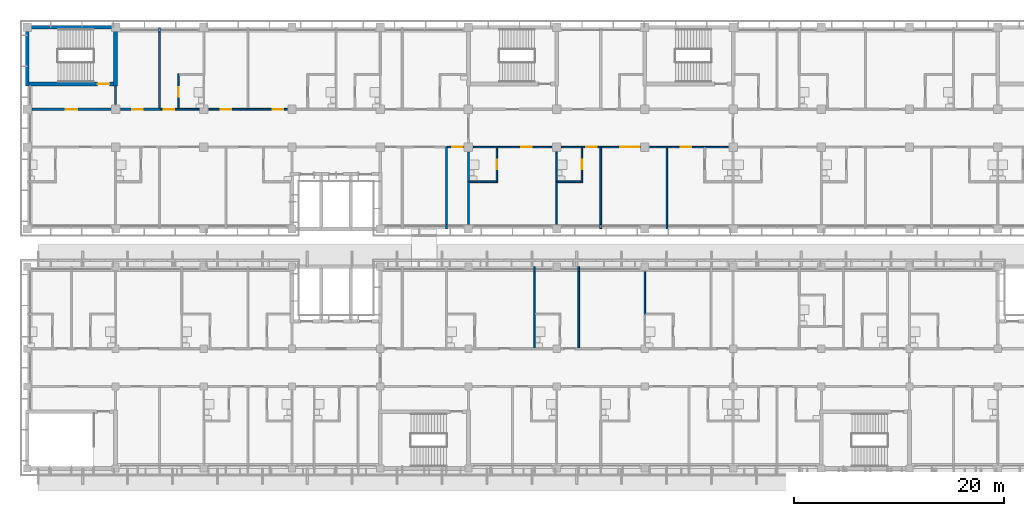
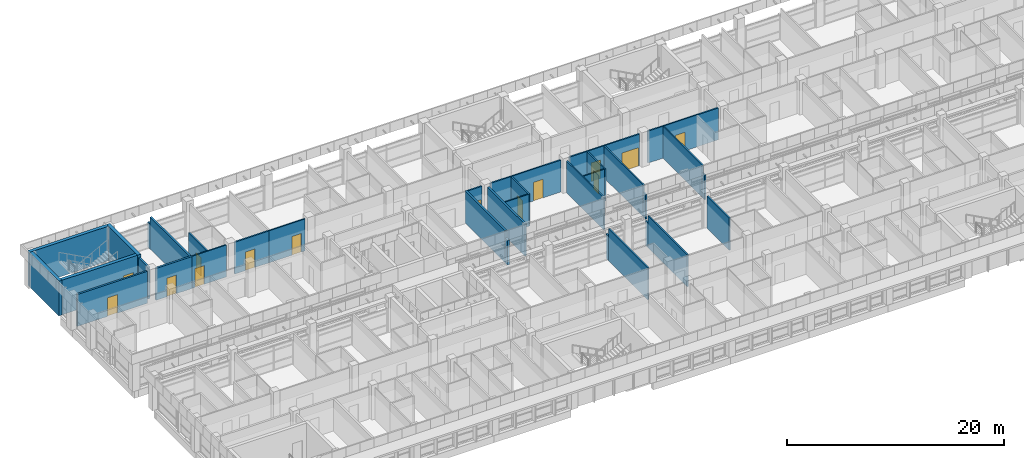
# One storey, part 31 of 71: 34 walls, 14 doors, 14 openings.
"""IFC4 building model written with IfcOpenShell, lengths in metres."""

from ifc_helpers import new_model, si_unit, direction, frame, frame_2d, origin, place, context, subcontext, project, spatial, rectangle, extrude, material, layer, layer_set, type_object, element, fill, save


model = new_model("IFC4")

# Units and contexts
model_context = context("Model", 3, precision=1e-05, world=origin(), true_north=direction((0.0, 1.0)))
body_context = subcontext(model_context, "Body", "Model", "MODEL_VIEW")
ifc_project = project(units=[si_unit("LENGTHUNIT", "METRE"), si_unit("AREAUNIT", "SQUARE_METRE"), si_unit("VOLUMEUNIT", "CUBIC_METRE"), si_unit("PLANEANGLEUNIT", "RADIAN"), si_unit("MASSUNIT", "GRAM", prefix="KILO")], contexts=[model_context])

# Site, building, storey
site_placement = place(None, origin())
site = spatial("IfcSite", under=ifc_project, at=site_placement, CompositionType="ELEMENT")
building_placement = place(site_placement, origin())
building = spatial("IfcBuilding", under=site, at=building_placement, Name="Bougainvillea Quay General Hospital", CompositionType="ELEMENT")
storey_placement = place(building_placement, frame((0.0, 0.0, 24.89990234375)))
storey = spatial("IfcBuildingStorey", under=building, at=storey_placement, Name="L05", CompositionType="ELEMENT", Elevation=24.89990234375)

# Walls
ifc_material_1 = material(Name="Gypsum board partition on steel studs, insulated", Category="steel")
ifc_layer_1 = layer(ifc_material_1, 0.14990234375)
ifc_layer_set_1 = layer_set([ifc_layer_1], Name="Gypsum board partition on steel studs, insulated")
wall_type_1 = type_object("IfcWallType", Name="Partition 150 Gypsum board partition", PredefinedType="PARTITIONING", material=ifc_layer_set_1)
wall_1_placement = place(storey_placement, frame((90.300048828125, 129.074951171875, 0.0), z_axis=(0.0, 0.0, 1.0), x_axis=(0.0, 1.0, 0.0)))
element("IfcWall", 1, at=wall_1_placement, inside=storey, type_object=wall_type_1, Name="Partition 150 mm", PredefinedType="PARTITIONING", context=body_context, shape_type="SweptSolid", body=[
    extrude(rectangle(XDim=7.275146484375, YDim=0.14990234375, at=frame_2d((3.6376953125, 0.0))), origin(), (0.0, 0.0, 1.0), 3.60009765625),
])
wall_2_placement = place(storey_placement, frame((90.300048828125, 136.35009765625, 0.0), z_axis=(0.0, 0.0, 1.0), x_axis=(0.0, 1.0, 0.0)))
element("IfcWall", 2, at=wall_2_placement, inside=storey, type_object=wall_type_1, Name="Partition 150 mm", PredefinedType="PARTITIONING", context=body_context, shape_type="SweptSolid", body=[
    extrude(rectangle(XDim=0.449951171875, YDim=0.14990234375, at=frame_2d((0.22509765625, 0.0))), origin(), (0.0, 0.0, 1.0), 2.780029296875),
])
wall_3_placement = place(storey_placement, frame((94.5, 129.074951171875, 0.0), z_axis=(0.0, 0.0, 1.0), x_axis=(0.0, 1.0, 0.0)))
element("IfcWall", 3, at=wall_3_placement, inside=storey, type_object=wall_type_1, Name="Partition 150 mm", PredefinedType="PARTITIONING", context=body_context, shape_type="SweptSolid", body=[
    extrude(rectangle(XDim=7.275146484375, YDim=0.14990234375, at=frame_2d((3.6376953125, 0.0))), origin(), (0.0, 0.0, 1.0), 3.60009765625),
])
wall_4_placement = place(storey_placement, frame((94.5, 136.35009765625, 0.0), z_axis=(0.0, 0.0, 1.0), x_axis=(0.0, 1.0, 0.0)))
element("IfcWall", 4, at=wall_4_placement, inside=storey, type_object=wall_type_1, Name="Partition 150 mm", PredefinedType="PARTITIONING", context=body_context, shape_type="SweptSolid", body=[
    extrude(rectangle(XDim=0.449951171875, YDim=0.14990234375, at=frame_2d((0.22509765625, 0.0))), origin(), (0.0, 0.0, 1.0), 2.780029296875),
])
wall_5_placement = place(storey_placement, frame((92.39990234375, 140.85009765625, 0.0), z_axis=(0.0, 0.0, 1.0), x_axis=(0.0, 1.0, 0.0)))
element("IfcWall", 5, at=wall_5_placement, inside=storey, type_object=wall_type_1, Name="Partition 150 mm", PredefinedType="PARTITIONING", context=body_context, shape_type="SweptSolid", body=[
    extrude(rectangle(XDim=6.89990234375, YDim=0.14990234375, at=frame_2d((3.449951171875, 0.0))), origin(), (0.0, 0.0, 1.0), 3.60009765625),
])
wall_6_placement = place(storey_placement, frame((96.60009765625, 140.39990234375, 0.0), z_axis=(0.0, 0.0, 1.0), x_axis=(0.0, 1.0, 0.0)))
element("IfcWall", 6, at=wall_6_placement, inside=storey, type_object=wall_type_1, Name="Partition 150 mm", PredefinedType="PARTITIONING", context=body_context, shape_type="SweptSolid", body=[
    extrude(rectangle(XDim=0.4501953125, YDim=0.14990234375, at=frame_2d((0.22509765625, 0.0))), origin(), (0.0, 0.0, 1.0), 2.780029296875),
])
wall_7_placement = place(storey_placement, frame((96.60009765625, 140.85009765625, 0.0), z_axis=(0.0, 0.0, 1.0), x_axis=(0.0, 1.0, 0.0)))
element("IfcWall", 7, at=wall_7_placement, inside=storey, type_object=wall_type_1, Name="Partition 150 mm", PredefinedType="PARTITIONING", context=body_context, shape_type="SweptSolid", body=[
    extrude(rectangle(XDim=7.27490234375, YDim=0.14990234375, at=frame_2d((3.637451171875, 0.0))), origin(), (0.0, 0.0, 1.0), 3.60009765625),
])
wall_8_placement = place(storey_placement, frame((102.89990234375, 140.39990234375, 0.0), z_axis=(0.0, 0.0, 1.0), x_axis=(0.0, 1.0, 0.0)))
element("IfcWall", 8, at=wall_8_placement, inside=storey, type_object=wall_type_1, Name="Partition 150 mm", PredefinedType="PARTITIONING", context=body_context, shape_type="SweptSolid", body=[
    extrude(rectangle(XDim=0.4501953125, YDim=0.14990234375, at=frame_2d((0.22509765625, 0.0))), origin(), (0.0, 0.0, 1.0), 2.780029296875),
])
wall_9_placement = place(storey_placement, frame((102.89990234375, 140.85009765625, 0.0), z_axis=(0.0, 0.0, 1.0), x_axis=(0.0, 1.0, 0.0)))
element("IfcWall", 9, at=wall_9_placement, inside=storey, type_object=wall_type_1, Name="Partition 150 mm", PredefinedType="PARTITIONING", context=body_context, shape_type="SweptSolid", body=[
    extrude(rectangle(XDim=7.27490234375, YDim=0.14990234375, at=frame_2d((3.637451171875, 0.0))), origin(), (0.0, 0.0, 1.0), 3.60009765625),
])
wall_10_placement = place(storey_placement, frame((100.800048828125, 132.22509765625, 0.0), z_axis=(0.0, 0.0, 1.0), x_axis=(0.0, 1.0, 0.0)))
element("IfcWall", 10, at=wall_10_placement, inside=storey, type_object=wall_type_1, Name="Partition 150 mm", PredefinedType="PARTITIONING", context=body_context, shape_type="SweptSolid", body=[
    extrude(rectangle(XDim=4.125, YDim=0.14990234375, at=frame_2d((2.0625, 0.0))), origin(), (0.0, 0.0, 1.0), 3.60009765625),
])

# Wall, opening, door
wall_11_placement = place(storey_placement, frame((56.39990234375, 151.875, 0.0), z_axis=(0.0, 0.0, 1.0), x_axis=(0.0, 1.0, 0.0)))
wall_11 = element("IfcWall", 11, at=wall_11_placement, inside=storey, type_object=wall_type_1, Name="Partition 150 mm", PredefinedType="PARTITIONING", context=body_context, shape_type="SweptSolid", body=[
    extrude(rectangle(XDim=3.300048828125, YDim=0.14990234375, at=frame_2d((1.64990234375, 0.0))), origin(), (0.0, 0.0, 1.0), 3.60009765625),
])
opening_1_placement = place(wall_11_placement, frame((1.125, 0.0, 0.0)))
opening_1 = element("IfcOpeningElement", 12, at=opening_1_placement, cuts=wall_11, Name="Opening L05.012", PredefinedType="OPENING", context=body_context, shape_type="SweptSolid", body=[
    extrude(rectangle(XDim=0.89990234375, YDim=2.10009765625, at=frame_2d((0.449951171875, 1.050048828125))), frame((0.0, 0.0849609375, 0.0), z_axis=(0.0, -1.0, 0.0), x_axis=(1.0, 0.0, 0.0)), (0.0, 0.0, 1.0), 0.169921875),
])
ifc_material_2 = material(Name="Solid-core timber door leaf in steel frame", Category="steel")
door_type_1 = type_object("IfcDoorType", Name="Single leaf door 900x2100", OperationType="NOTDEFINED", PredefinedType="DOOR", material=ifc_material_2)
door_1_placement = place(opening_1_placement, frame((0.89990234375, 0.0, 0.0), z_axis=(0.0, 0.0, 1.0), x_axis=(-1.0, 0.0, 0.0)))
door_1 = element("IfcDoor", 13, at=door_1_placement, inside=storey, type_object=door_type_1, Name="DT07 L05.012", OperationType="SINGLE_SWING_RIGHT", OverallHeight=2.10009765625, OverallWidth=0.89990234375, PredefinedType="DOOR", context=body_context, shape_type="SweptSolid", body=[
    extrude(rectangle(XDim=0.89990234375, YDim=2.10009765625, at=frame_2d((0.449951171875, 1.050048828125))), frame((0.0, 0.02490234375, 0.0), z_axis=(0.0, -1.0, 0.0), x_axis=(1.0, 0.0, 0.0)), (0.0, 0.0, 1.0), 0.050048828125),
])
fill(opening_1, door_1)

wall_12_placement = place(storey_placement, frame((86.699951171875, 144.824951171875, 0.0), z_axis=(0.0, 0.0, 1.0), x_axis=(0.0, 1.0, 0.0)))
wall_12 = element("IfcWall", 14, at=wall_12_placement, inside=storey, type_object=wall_type_1, Name="Partition 150 mm", PredefinedType="PARTITIONING", context=body_context, shape_type="SweptSolid", body=[
    extrude(rectangle(XDim=3.300048828125, YDim=0.14990234375, at=frame_2d((1.64990234375, 0.0))), origin(), (0.0, 0.0, 1.0), 3.60009765625),
])
opening_2_placement = place(wall_12_placement, frame((1.27490234375, 0.0, 0.0)))
opening_2 = element("IfcOpeningElement", 15, at=opening_2_placement, cuts=wall_12, Name="Opening L05.023", PredefinedType="OPENING", context=body_context, shape_type="SweptSolid", body=[
    extrude(rectangle(XDim=0.89990234375, YDim=2.10009765625, at=frame_2d((0.449951171875, 1.050048828125))), frame((0.0, 0.0849609375, 0.0), z_axis=(0.0, -1.0, 0.0), x_axis=(1.0, 0.0, 0.0)), (0.0, 0.0, 1.0), 0.169921875),
])
door_2_placement = place(opening_2_placement, origin())
door_2 = element("IfcDoor", 16, at=door_2_placement, inside=storey, type_object=door_type_1, Name="DT07 L05.023", OperationType="SINGLE_SWING_RIGHT", OverallHeight=2.10009765625, OverallWidth=0.89990234375, PredefinedType="DOOR", context=body_context, shape_type="SweptSolid", body=[
    extrude(rectangle(XDim=0.89990234375, YDim=2.10009765625, at=frame_2d((0.449951171875, 1.050048828125))), frame((0.0, 0.02490234375, 0.0), z_axis=(0.0, -1.0, 0.0), x_axis=(1.0, 0.0, 0.0)), (0.0, 0.0, 1.0), 0.050048828125),
])
fill(opening_2, door_2)

wall_13_placement = place(storey_placement, frame((94.800048828125, 144.824951171875, 0.0), z_axis=(0.0, 0.0, 1.0), x_axis=(0.0, 1.0, 0.0)))
wall_13 = element("IfcWall", 17, at=wall_13_placement, inside=storey, type_object=wall_type_1, Name="Partition 150 mm", PredefinedType="PARTITIONING", context=body_context, shape_type="SweptSolid", body=[
    extrude(rectangle(XDim=3.300048828125, YDim=0.14990234375, at=frame_2d((1.64990234375, 0.0))), origin(), (0.0, 0.0, 1.0), 3.60009765625),
])
opening_3_placement = place(wall_13_placement, frame((1.27490234375, 0.0, 0.0)))
opening_3 = element("IfcOpeningElement", 18, at=opening_3_placement, cuts=wall_13, Name="Opening L05.025", PredefinedType="OPENING", context=body_context, shape_type="SweptSolid", body=[
    extrude(rectangle(XDim=0.89990234375, YDim=2.10009765625, at=frame_2d((0.449951171875, 1.050048828125))), frame((0.0, 0.0849609375, 0.0), z_axis=(0.0, -1.0, 0.0), x_axis=(1.0, 0.0, 0.0)), (0.0, 0.0, 1.0), 0.169921875),
])
door_3_placement = place(opening_3_placement, origin())
door_3 = element("IfcDoor", 19, at=door_3_placement, inside=storey, type_object=door_type_1, Name="DT07 L05.025", OperationType="SINGLE_SWING_RIGHT", OverallHeight=2.10009765625, OverallWidth=0.89990234375, PredefinedType="DOOR", context=body_context, shape_type="SweptSolid", body=[
    extrude(rectangle(XDim=0.89990234375, YDim=2.10009765625, at=frame_2d((0.449951171875, 1.050048828125))), frame((0.0, 0.02490234375, 0.0), z_axis=(0.0, -1.0, 0.0), x_axis=(1.0, 0.0, 0.0)), (0.0, 0.0, 1.0), 0.050048828125),
])
fill(opening_3, door_3)

# Walls
wall_14_placement = place(storey_placement, frame((84.10009765625, 144.89990234375, 0.0), z_axis=(0.0, 0.0, 1.0), x_axis=(1.0, 0.0, 0.0)))
element("IfcWall", 20, at=wall_14_placement, inside=storey, type_object=wall_type_1, Name="Partition 150 mm", PredefinedType="PARTITIONING", context=body_context, shape_type="SweptSolid", body=[
    extrude(rectangle(XDim=2.52490234375, YDim=0.14990234375, at=frame_2d((1.262451171875, 0.0))), origin(), (0.0, 0.0, 1.0), 3.60009765625),
])
wall_15_placement = place(storey_placement, frame((92.47509765625, 144.89990234375, 0.0), z_axis=(0.0, 0.0, 1.0), x_axis=(1.0, 0.0, 0.0)))
element("IfcWall", 21, at=wall_15_placement, inside=storey, type_object=wall_type_1, Name="Partition 150 mm", PredefinedType="PARTITIONING", context=body_context, shape_type="SweptSolid", body=[
    extrude(rectangle(XDim=2.25, YDim=0.14990234375, at=frame_2d((1.125, 0.0))), origin(), (0.0, 0.0, 1.0), 3.60009765625),
])

# Wall, opening, door
ifc_layer_2 = layer(ifc_material_1, 0.14990234375)
ifc_layer_set_2 = layer_set([ifc_layer_2], Name="Gypsum board partition on steel studs, insulated")
wall_type_2 = type_object("IfcWallType", Name="Partition 150 Gypsum board partition EI 30", PredefinedType="PARTITIONING", material=ifc_layer_set_2)
wall_16_placement = place(storey_placement, frame((108.75, 148.199951171875, 0.0), z_axis=(0.0, 0.0, 1.0), x_axis=(-1.0, 0.0, 0.0)))
wall_16 = element("IfcWall", 22, at=wall_16_placement, inside=storey, type_object=wall_type_2, Name="Partition 150 mm EI 30", PredefinedType="PARTITIONING", context=body_context, shape_type="SweptSolid", body=[
    extrude(rectangle(XDim=7.5, YDim=0.14990234375, at=frame_2d((3.75, 0.0))), origin(), (0.0, 0.0, 1.0), 3.60009765625),
])
opening_4_placement = place(wall_16_placement, frame((3.550048828125, 0.0, 0.0)))
opening_4 = element("IfcOpeningElement", 23, at=opening_4_placement, cuts=wall_16, Name="Opening L05.027", PredefinedType="OPENING", context=body_context, shape_type="SweptSolid", body=[
    extrude(rectangle(XDim=1.0, YDim=2.10009765625, at=frame_2d((0.5, 1.050048828125))), frame((0.0, 0.0849609375, 0.0), z_axis=(0.0, -1.0, 0.0), x_axis=(1.0, 0.0, 0.0)), (0.0, 0.0, 1.0), 0.169921875),
])
door_type_2 = type_object("IfcDoorType", Name="Single leaf door 1000x2100 FD30S", OperationType="NOTDEFINED", PredefinedType="DOOR", material=ifc_material_2)
door_4_placement = place(opening_4_placement, origin())
door_4 = element("IfcDoor", 24, at=door_4_placement, inside=storey, type_object=door_type_2, Name="DT15 L05.027", OperationType="SINGLE_SWING_RIGHT", OverallHeight=2.10009765625, OverallWidth=1.0, PredefinedType="DOOR", context=body_context, shape_type="SweptSolid", body=[
    extrude(rectangle(XDim=1.0, YDim=2.10009765625, at=frame_2d((0.5, 1.050048828125))), frame((0.0, 0.02490234375, 0.0), z_axis=(0.0, -1.0, 0.0), x_axis=(1.0, 0.0, 0.0)), (0.0, 0.0, 1.0), 0.050048828125),
])
fill(opening_4, door_4)

# Wall, openings, doors
wall_17_placement = place(storey_placement, frame((100.35009765625, 148.199951171875, 0.0), z_axis=(0.0, 0.0, 1.0), x_axis=(-1.0, 0.0, 0.0)))
wall_17 = element("IfcWall", 25, at=wall_17_placement, inside=storey, type_object=wall_type_2, Name="Partition 150 mm EI 30", PredefinedType="PARTITIONING", context=body_context, shape_type="SweptSolid", body=[
    extrude(rectangle(XDim=7.5, YDim=0.14990234375, at=frame_2d((3.75, 0.0))), origin(), (0.0, 0.0, 1.0), 3.60009765625),
])
opening_5_placement = place(wall_17_placement, frame((4.14990234375, 0.0, 0.0)))
opening_5 = element("IfcOpeningElement", 26, at=opening_5_placement, cuts=wall_17, Name="Opening L05.024", PredefinedType="OPENING", context=body_context, shape_type="SweptSolid", body=[
    extrude(rectangle(XDim=1.0, YDim=2.10009765625, at=frame_2d((0.5, 1.050048828125))), frame((0.0, 0.0849609375, 0.0), z_axis=(0.0, -1.0, 0.0), x_axis=(1.0, 0.0, 0.0)), (0.0, 0.0, 1.0), 0.169921875),
])
opening_6_placement = place(wall_17_placement, frame((0.10009765625, 0.0, 0.0)))
opening_6 = element("IfcOpeningElement", 27, at=opening_6_placement, cuts=wall_17, Name="Opening L05.026", PredefinedType="OPENING", context=body_context, shape_type="SweptSolid", body=[
    extrude(rectangle(XDim=1.800048828125, YDim=2.10009765625, at=frame_2d((0.89990234375, 1.050048828125))), frame((0.0, 0.0849609375, 0.0), z_axis=(0.0, -1.0, 0.0), x_axis=(1.0, 0.0, 0.0)), (0.0, 0.0, 1.0), 0.169921875),
])
ifc_material_3 = material(Name="Solid-core timber door leaves in steel frame", Category="steel")
door_type_3 = type_object("IfcDoorType", Name="Double leaf door 1800x2100 FD30S", OperationType="DOUBLE_DOOR_SINGLE_SWING", PredefinedType="DOOR", material=ifc_material_3)
door_5_placement = place(opening_6_placement, origin())
door_5 = element("IfcDoor", 28, at=door_5_placement, inside=storey, type_object=door_type_3, Name="DT17 L05.026", OperationType="DOUBLE_DOOR_SINGLE_SWING", OverallHeight=2.10009765625, OverallWidth=1.800048828125, PredefinedType="DOOR", context=body_context, shape_type="SweptSolid", body=[
    extrude(rectangle(XDim=1.800048828125, YDim=2.10009765625, at=frame_2d((0.89990234375, 1.050048828125))), frame((0.0, 0.02490234375, 0.0), z_axis=(0.0, -1.0, 0.0), x_axis=(1.0, 0.0, 0.0)), (0.0, 0.0, 1.0), 0.050048828125),
])
fill(opening_6, door_5)
door_6_placement = place(opening_5_placement, origin())
door_6 = element("IfcDoor", 29, at=door_6_placement, inside=storey, type_object=door_type_2, Name="DT15 L05.024", OperationType="SINGLE_SWING_RIGHT", OverallHeight=2.10009765625, OverallWidth=1.0, PredefinedType="DOOR", context=body_context, shape_type="SweptSolid", body=[
    extrude(rectangle(XDim=1.0, YDim=2.10009765625, at=frame_2d((0.5, 1.050048828125))), frame((0.0, 0.02490234375, 0.0), z_axis=(0.0, -1.0, 0.0), x_axis=(1.0, 0.0, 0.0)), (0.0, 0.0, 1.0), 0.050048828125),
])
fill(opening_5, door_6)

# Wall, opening, door
wall_18_placement = place(storey_placement, frame((91.949951171875, 148.199951171875, 0.0), z_axis=(0.0, 0.0, 1.0), x_axis=(-1.0, 0.0, 0.0)))
wall_18 = element("IfcWall", 30, at=wall_18_placement, inside=storey, type_object=wall_type_2, Name="Partition 150 mm EI 30", PredefinedType="PARTITIONING", context=body_context, shape_type="SweptSolid", body=[
    extrude(rectangle(XDim=7.5, YDim=0.14990234375, at=frame_2d((3.75, 0.0))), origin(), (0.0, 0.0, 1.0), 3.60009765625),
])
opening_7_placement = place(wall_18_placement, frame((1.89990234375, 0.0, 0.0)))
opening_7 = element("IfcOpeningElement", 31, at=opening_7_placement, cuts=wall_18, Name="Opening L05.022", PredefinedType="OPENING", context=body_context, shape_type="SweptSolid", body=[
    extrude(rectangle(XDim=1.0, YDim=2.10009765625, at=frame_2d((0.5, 1.050048828125))), frame((0.0, 0.0849609375, 0.0), z_axis=(0.0, -1.0, 0.0), x_axis=(1.0, 0.0, 0.0)), (0.0, 0.0, 1.0), 0.169921875),
])
door_7_placement = place(opening_7_placement, origin())
door_7 = element("IfcDoor", 32, at=door_7_placement, inside=storey, type_object=door_type_2, Name="DT15 L05.022", OperationType="SINGLE_SWING_LEFT", OverallHeight=2.10009765625, OverallWidth=1.0, PredefinedType="DOOR", context=body_context, shape_type="SweptSolid", body=[
    extrude(rectangle(XDim=1.0, YDim=2.10009765625, at=frame_2d((0.5, 1.050048828125))), frame((0.0, 0.02490234375, 0.0), z_axis=(0.0, -1.0, 0.0), x_axis=(1.0, 0.0, 0.0)), (0.0, 0.0, 1.0), 0.050048828125),
])
fill(opening_7, door_7)

wall_19_placement = place(storey_placement, frame((66.75, 151.800048828125, 0.0), z_axis=(0.0, 0.0, 1.0), x_axis=(-1.0, 0.0, 0.0)))
wall_19 = element("IfcWall", 33, at=wall_19_placement, inside=storey, type_object=wall_type_2, Name="Partition 150 mm EI 30", PredefinedType="PARTITIONING", context=body_context, shape_type="SweptSolid", body=[
    extrude(rectangle(XDim=3.824951171875, YDim=0.14990234375, at=frame_2d((1.91259765625, 0.0))), origin(), (0.0, 0.0, 1.0), 3.60009765625),
])
opening_8_placement = place(wall_19_placement, frame((0.39990234375, 0.0, 0.0)))
opening_8 = element("IfcOpeningElement", 34, at=opening_8_placement, cuts=wall_19, Name="Opening L05.014", PredefinedType="OPENING", context=body_context, shape_type="SweptSolid", body=[
    extrude(rectangle(XDim=1.0, YDim=2.10009765625, at=frame_2d((0.5, 1.050048828125))), frame((0.0, 0.0849609375, 0.0), z_axis=(0.0, -1.0, 0.0), x_axis=(1.0, 0.0, 0.0)), (0.0, 0.0, 1.0), 0.169921875),
])
door_8_placement = place(opening_8_placement, frame((1.0, 0.0, 0.0), z_axis=(0.0, 0.0, 1.0), x_axis=(-1.0, 0.0, 0.0)))
door_8 = element("IfcDoor", 35, at=door_8_placement, inside=storey, type_object=door_type_2, Name="DT15 L05.014", OperationType="SINGLE_SWING_RIGHT", OverallHeight=2.10009765625, OverallWidth=1.0, PredefinedType="DOOR", context=body_context, shape_type="SweptSolid", body=[
    extrude(rectangle(XDim=1.0, YDim=2.10009765625, at=frame_2d((0.5, 1.050048828125))), frame((0.0, 0.02490234375, 0.0), z_axis=(0.0, -1.0, 0.0), x_axis=(1.0, 0.0, 0.0)), (0.0, 0.0, 1.0), 0.050048828125),
])
fill(opening_8, door_8)

wall_20_placement = place(storey_placement, frame((54.699951171875, 151.800048828125, 0.0), z_axis=(0.0, 0.0, 1.0), x_axis=(1.0, 0.0, 0.0)))
wall_20 = element("IfcWall", 36, at=wall_20_placement, inside=storey, type_object=wall_type_2, Name="Partition 150 mm EI 30", PredefinedType="PARTITIONING", context=body_context, shape_type="SweptSolid", body=[
    extrude(rectangle(XDim=3.650146484375, YDim=0.14990234375, at=frame_2d((1.8251953125, 0.0))), origin(), (0.0, 0.0, 1.0), 3.60009765625),
])
opening_9_placement = place(wall_20_placement, frame((0.300048828125, 0.0, 0.0)))
opening_9 = element("IfcOpeningElement", 37, at=opening_9_placement, cuts=wall_20, Name="Opening L05.011", PredefinedType="OPENING", context=body_context, shape_type="SweptSolid", body=[
    extrude(rectangle(XDim=1.0, YDim=2.10009765625, at=frame_2d((0.5, 1.050048828125))), frame((0.0, 0.0849609375, 0.0), z_axis=(0.0, -1.0, 0.0), x_axis=(1.0, 0.0, 0.0)), (0.0, 0.0, 1.0), 0.169921875),
])
door_9_placement = place(opening_9_placement, origin())
door_9 = element("IfcDoor", 38, at=door_9_placement, inside=storey, type_object=door_type_2, Name="DT15 L05.011", OperationType="SINGLE_SWING_LEFT", OverallHeight=2.10009765625, OverallWidth=1.0, PredefinedType="DOOR", context=body_context, shape_type="SweptSolid", body=[
    extrude(rectangle(XDim=1.0, YDim=2.10009765625, at=frame_2d((0.5, 1.050048828125))), frame((0.0, 0.02490234375, 0.0), z_axis=(0.0, -1.0, 0.0), x_axis=(1.0, 0.0, 0.0)), (0.0, 0.0, 1.0), 0.050048828125),
])
fill(opening_9, door_9)

ifc_layer_3 = layer(ifc_material_1, 0.14990234375)
ifc_layer_set_3 = layer_set([ifc_layer_3], Name="Gypsum board partition on steel studs, insulated")
wall_type_3 = type_object("IfcWallType", Name="Partition 150 Gypsum board partition EI 60", PredefinedType="PARTITIONING", material=ifc_layer_set_3)
wall_21_placement = place(storey_placement, frame((59.25, 151.800048828125, 0.0), z_axis=(0.0, 0.0, 1.0), x_axis=(1.0, 0.0, 0.0)))
wall_21 = element("IfcWall", 39, at=wall_21_placement, inside=storey, type_object=wall_type_3, Name="Partition 150 mm EI 60", PredefinedType="PARTITIONING", context=body_context, shape_type="SweptSolid", body=[
    extrude(rectangle(XDim=3.675048828125, YDim=0.14990234375, at=frame_2d((1.83740234375, 0.0))), origin(), (0.0, 0.0, 1.0), 3.60009765625),
])
opening_10_placement = place(wall_21_placement, frame((1.14990234375, 0.0, 0.0)))
opening_10 = element("IfcOpeningElement", 40, at=opening_10_placement, cuts=wall_21, Name="Opening L05.013", PredefinedType="OPENING", context=body_context, shape_type="SweptSolid", body=[
    extrude(rectangle(XDim=1.0, YDim=2.10009765625, at=frame_2d((0.5, 1.050048828125))), frame((0.0, 0.0849609375, 0.0), z_axis=(0.0, -1.0, 0.0), x_axis=(1.0, 0.0, 0.0)), (0.0, 0.0, 1.0), 0.169921875),
])
door_type_4 = type_object("IfcDoorType", Name="Single leaf door 1000x2100 FD60", OperationType="NOTDEFINED", PredefinedType="DOOR", material=ifc_material_2)
door_10_placement = place(opening_10_placement, origin())
door_10 = element("IfcDoor", 41, at=door_10_placement, inside=storey, type_object=door_type_4, Name="DT14 L05.013", OperationType="SINGLE_SWING_LEFT", OverallHeight=2.10009765625, OverallWidth=1.0, PredefinedType="DOOR", context=body_context, shape_type="SweptSolid", body=[
    extrude(rectangle(XDim=1.0, YDim=2.10009765625, at=frame_2d((0.5, 1.050048828125))), frame((0.0, 0.02490234375, 0.0), z_axis=(0.0, -1.0, 0.0), x_axis=(1.0, 0.0, 0.0)), (0.0, 0.0, 1.0), 0.050048828125),
])
fill(opening_10, door_10)

wall_22_placement = place(storey_placement, frame((82.0, 148.199951171875, 0.0), z_axis=(0.0, 0.0, 1.0), x_axis=(1.0, 0.0, 0.0)))
wall_22 = element("IfcWall", 42, at=wall_22_placement, inside=storey, type_object=wall_type_3, Name="Partition 150 mm EI 60", PredefinedType="PARTITIONING", context=body_context, shape_type="SweptSolid", body=[
    extrude(rectangle(XDim=1.550048828125, YDim=0.14990234375, at=frame_2d((0.77490234375, 0.0))), origin(), (0.0, 0.0, 1.0), 3.60009765625),
])
opening_11_placement = place(wall_22_placement, frame((0.449951171875, 0.0, 0.0)))
opening_11 = element("IfcOpeningElement", 43, at=opening_11_placement, cuts=wall_22, Name="Opening L05.074", PredefinedType="OPENING", context=body_context, shape_type="SweptSolid", body=[
    extrude(rectangle(XDim=1.0, YDim=2.10009765625, at=frame_2d((0.5, 1.050048828125))), frame((0.0, 0.0849609375, 0.0), z_axis=(0.0, -1.0, 0.0), x_axis=(1.0, 0.0, 0.0)), (0.0, 0.0, 1.0), 0.169921875),
])
ifc_material_4 = material(Name="Steel fire door leaf in steel frame", Category="steel")
door_type_5 = type_object("IfcDoorType", Name="Steel single leaf door 1000x2100 FD60", OperationType="NOTDEFINED", PredefinedType="DOOR", material=ifc_material_4)
door_11_placement = place(opening_11_placement, frame((1.0, 0.0, 0.0), z_axis=(0.0, 0.0, 1.0), x_axis=(-1.0, 0.0, 0.0)))
door_11 = element("IfcDoor", 44, at=door_11_placement, inside=storey, type_object=door_type_5, Name="DT10 L05.074", OperationType="SINGLE_SWING_LEFT", OverallHeight=2.10009765625, OverallWidth=1.0, PredefinedType="DOOR", context=body_context, shape_type="SweptSolid", body=[
    extrude(rectangle(XDim=1.0, YDim=2.10009765625, at=frame_2d((0.5, 1.050048828125))), frame((0.0, 0.02490234375, 0.0), z_axis=(0.0, -1.0, 0.0), x_axis=(1.0, 0.0, 0.0)), (0.0, 0.0, 1.0), 0.050048828125),
])
fill(opening_11, door_11)

ifc_material_5 = material(Name="Fire-rated autoclaved aerated block wall, plastered")
ifc_layer_4 = layer(ifc_material_5, 0.199951171875)
ifc_layer_set_4 = layer_set([ifc_layer_4], Name="Fire-rated autoclaved aerated block wall, plastered")
wall_type_4 = type_object("IfcWallType", Name="Partition 200 Fire-rated autoclaved aerated block wall EI 120", PredefinedType="SOLIDWALL", material=ifc_layer_set_4)
wall_23_placement = place(storey_placement, frame((42.449951171875, 151.800048828125, 0.0), z_axis=(0.0, 0.0, 1.0), x_axis=(1.0, 0.0, 0.0)))
wall_23 = element("IfcWall", 45, at=wall_23_placement, inside=storey, type_object=wall_type_4, Name="Partition 200 mm EI 120", PredefinedType="SOLIDWALL", context=body_context, shape_type="SweptSolid", body=[
    extrude(rectangle(XDim=7.5, YDim=0.199951171875, at=frame_2d((3.75, 0.0))), origin(), (0.0, 0.0, 1.0), 3.60009765625),
])
opening_12_placement = place(wall_23_placement, frame((3.199951171875, 0.0, 0.0)))
opening_12 = element("IfcOpeningElement", 46, at=opening_12_placement, cuts=wall_23, Name="Opening L05.150", PredefinedType="OPENING", context=body_context, shape_type="SweptSolid", body=[
    extrude(rectangle(XDim=1.10009765625, YDim=2.10009765625, at=frame_2d((0.550048828125, 1.050048828125))), frame((0.0, 0.10986328125, 0.0), z_axis=(0.0, -1.0, 0.0), x_axis=(1.0, 0.0, 0.0)), (0.0, 0.0, 1.0), 0.219970703125),
])
door_type_6 = type_object("IfcDoorType", Name="Steel single leaf door 1100x2100 FD60", OperationType="NOTDEFINED", PredefinedType="DOOR", material=ifc_material_4)
door_12_placement = place(opening_12_placement, origin())
door_12 = element("IfcDoor", 47, at=door_12_placement, inside=storey, type_object=door_type_6, Name="DT04 L05.150", OperationType="SINGLE_SWING_RIGHT", OverallHeight=2.10009765625, OverallWidth=1.10009765625, PredefinedType="DOOR", context=body_context, shape_type="SweptSolid", body=[
    extrude(rectangle(XDim=1.10009765625, YDim=2.10009765625, at=frame_2d((0.550048828125, 1.050048828125))), frame((0.0, 0.02490234375, 0.0), z_axis=(0.0, -1.0, 0.0), x_axis=(1.0, 0.0, 0.0)), (0.0, 0.0, 1.0), 0.050048828125),
])
fill(opening_12, door_12)

wall_24_placement = place(storey_placement, frame((50.85009765625, 151.800048828125, 0.0), z_axis=(0.0, 0.0, 1.0), x_axis=(1.0, 0.0, 0.0)))
wall_24 = element("IfcWall", 48, at=wall_24_placement, inside=storey, type_object=wall_type_4, Name="Partition 200 mm EI 120", PredefinedType="SOLIDWALL", context=body_context, shape_type="SweptSolid", body=[
    extrude(rectangle(XDim=3.849853515625, YDim=0.199951171875, at=frame_2d((1.9248046875, 0.0))), origin(), (0.0, 0.0, 1.0), 3.60009765625),
])
opening_13_placement = place(wall_24_placement, frame((1.14990234375, 0.0, 0.0)))
opening_13 = element("IfcOpeningElement", 49, at=opening_13_placement, cuts=wall_24, Name="Opening L05.068", PredefinedType="OPENING", context=body_context, shape_type="SweptSolid", body=[
    extrude(rectangle(XDim=1.0, YDim=2.10009765625, at=frame_2d((0.5, 1.050048828125))), frame((0.0, 0.10986328125, 0.0), z_axis=(0.0, -1.0, 0.0), x_axis=(1.0, 0.0, 0.0)), (0.0, 0.0, 1.0), 0.219970703125),
])
door_type_7 = type_object("IfcDoorType", Name="Steel single leaf door 1000x2100 FD90", OperationType="NOTDEFINED", PredefinedType="DOOR", material=ifc_material_4)
door_13_placement = place(opening_13_placement, origin())
door_13 = element("IfcDoor", 50, at=door_13_placement, inside=storey, type_object=door_type_7, Name="DT11 L05.068", OperationType="SINGLE_SWING_LEFT", OverallHeight=2.10009765625, OverallWidth=1.0, PredefinedType="DOOR", context=body_context, shape_type="SweptSolid", body=[
    extrude(rectangle(XDim=1.0, YDim=2.10009765625, at=frame_2d((0.5, 1.050048828125))), frame((0.0, 0.02490234375, 0.0), z_axis=(0.0, -1.0, 0.0), x_axis=(1.0, 0.0, 0.0)), (0.0, 0.0, 1.0), 0.050048828125),
])
fill(opening_13, door_13)

# Walls
wall_25_placement = place(storey_placement, frame((50.39990234375, 152.25, 0.0), z_axis=(0.0, 0.0, 1.0), x_axis=(0.0, 1.0, 0.0)))
element("IfcWall", 51, at=wall_25_placement, inside=storey, type_object=wall_type_4, Name="Partition 200 mm EI 120", PredefinedType="SOLIDWALL", context=body_context, shape_type="SweptSolid", body=[
    extrude(rectangle(XDim=1.77490234375, YDim=0.199951171875, at=frame_2d((0.887451171875, 0.0))), origin(), (0.0, 0.0, 1.0), 3.60009765625),
])
wall_26_placement = place(storey_placement, frame((54.60009765625, 151.89990234375, 0.0), z_axis=(0.0, 0.0, 1.0), x_axis=(0.0, 1.0, 0.0)))
element("IfcWall", 52, at=wall_26_placement, inside=storey, type_object=wall_type_4, Name="Partition 200 mm EI 120", PredefinedType="SOLIDWALL", context=body_context, shape_type="SweptSolid", body=[
    extrude(rectangle(XDim=7.25, YDim=0.199951171875, at=frame_2d((3.625, 0.0))), origin(), (0.0, 0.0, 1.0), 3.60009765625),
])
wall_27_placement = place(storey_placement, frame((54.60009765625, 159.14990234375, 0.0), z_axis=(0.0, 0.0, 1.0), x_axis=(0.0, 1.0, 0.0)))
element("IfcWall", 53, at=wall_27_placement, inside=storey, type_object=wall_type_4, Name="Partition 200 mm EI 120", PredefinedType="SOLIDWALL", context=body_context, shape_type="SweptSolid", body=[
    extrude(rectangle(XDim=0.4501953125, YDim=0.199951171875, at=frame_2d((0.22509765625, 0.0))), origin(), (0.0, 0.0, 1.0), 2.780029296875),
])
ifc_layer_5 = layer(ifc_material_5, 0.199951171875)
ifc_layer_set_5 = layer_set([ifc_layer_5], Name="Fire-rated autoclaved aerated block wall, plastered")
wall_type_5 = type_object("IfcWallType", Name="Partition 200 Fire-rated autoclaved aerated block wall EI 60", PredefinedType="SOLIDWALL", material=ifc_layer_set_5)
wall_28_placement = place(storey_placement, frame((81.89990234375, 140.39990234375, 0.0), z_axis=(0.0, 0.0, 1.0), x_axis=(0.0, 1.0, 0.0)))
element("IfcWall", 54, at=wall_28_placement, inside=storey, type_object=wall_type_5, Name="Partition 200 mm EI 60", PredefinedType="SOLIDWALL", context=body_context, shape_type="SweptSolid", body=[
    extrude(rectangle(XDim=0.4501953125, YDim=0.199951171875, at=frame_2d((0.22509765625, 0.0))), origin(), (0.0, 0.0, 1.0), 2.780029296875),
])
wall_29_placement = place(storey_placement, frame((81.89990234375, 140.85009765625, 0.0), z_axis=(0.0, 0.0, 1.0), x_axis=(0.0, 1.0, 0.0)))
element("IfcWall", 55, at=wall_29_placement, inside=storey, type_object=wall_type_5, Name="Partition 200 mm EI 60", PredefinedType="SOLIDWALL", context=body_context, shape_type="SweptSolid", body=[
    extrude(rectangle(XDim=7.4248046875, YDim=0.199951171875, at=frame_2d((3.71240234375, 0.0))), origin(), (0.0, 0.0, 1.0), 3.60009765625),
])
wall_30_placement = place(storey_placement, frame((84.0, 140.85009765625, 0.0), z_axis=(0.0, 0.0, 1.0), x_axis=(0.0, 1.0, 0.0)))
element("IfcWall", 56, at=wall_30_placement, inside=storey, type_object=wall_type_5, Name="Partition 200 mm EI 60", PredefinedType="SOLIDWALL", context=body_context, shape_type="SweptSolid", body=[
    extrude(rectangle(XDim=6.89990234375, YDim=0.199951171875, at=frame_2d((3.449951171875, 0.0))), origin(), (0.0, 0.0, 1.0), 3.60009765625),
])
ifc_material_6 = material(Name="Concrete C40", Category="concrete")
ifc_layer_6 = layer(ifc_material_6, 0.35009765625)
ifc_layer_set_6 = layer_set([ifc_layer_6], Name="Concrete C40")
wall_type_6 = type_object("IfcWallType", Name="RC SHEAR WALL 350 C40", PredefinedType="SHEAR", material=ifc_layer_set_6)
wall_31_placement = place(storey_placement, frame((41.824951171875, 159.60009765625, 0.0), z_axis=(0.0, 0.0, 1.0), x_axis=(1.0, 0.0, 0.0)))
element("IfcWall", 57, at=wall_31_placement, inside=storey, type_object=wall_type_6, Name="Shear wall L05", PredefinedType="SHEAR", context=body_context, shape_type="SweptSolid", body=[
    extrude(rectangle(XDim=8.400146484375, YDim=0.35009765625, at=frame_2d((4.2001953125, 0.0))), origin(), (0.0, 0.0, 1.0), 3.900146484375),
])
wall_32_placement = place(storey_placement, frame((42.0, 154.02490234375, 0.0), z_axis=(0.0, 0.0, 1.0), x_axis=(0.0, 1.0, 0.0)))
element("IfcWall", 58, at=wall_32_placement, inside=storey, type_object=wall_type_6, Name="Shear wall L05", PredefinedType="SHEAR", context=body_context, shape_type="SweptSolid", body=[
    extrude(rectangle(XDim=5.400146484375, YDim=0.35009765625, at=frame_2d((2.7001953125, 0.0))), origin(), (0.0, 0.0, 1.0), 3.900146484375),
])

# Wall, opening, door
wall_33_placement = place(storey_placement, frame((42.175048828125, 154.199951171875, 0.0), z_axis=(0.0, 0.0, 1.0), x_axis=(1.0, 0.0, 0.0)))
wall_33 = element("IfcWall", 59, at=wall_33_placement, inside=storey, type_object=wall_type_6, Name="Shear wall L05", PredefinedType="SHEAR", context=body_context, shape_type="SweptSolid", body=[
    extrude(rectangle(XDim=8.050048828125, YDim=0.35009765625, at=frame_2d((4.02490234375, 0.0))), origin(), (0.0, 0.0, 1.0), 3.900146484375),
])
opening_14_placement = place(wall_33_placement, frame((6.52490234375, 0.0, 0.0)))
opening_14 = element("IfcOpeningElement", 60, at=opening_14_placement, cuts=wall_33, Name="Opening L05.149", PredefinedType="OPENING", context=body_context, shape_type="SweptSolid", body=[
    extrude(rectangle(XDim=1.10009765625, YDim=2.10009765625, at=frame_2d((0.550048828125, 1.050048828125))), frame((0.0, 0.18505859375, 0.0), z_axis=(0.0, -1.0, 0.0), x_axis=(1.0, 0.0, 0.0)), (0.0, 0.0, 1.0), 0.3701171875),
])
door_14_placement = place(opening_14_placement, origin())
door_14 = element("IfcDoor", 61, at=door_14_placement, inside=storey, type_object=door_type_6, Name="DT04 L05.149", OperationType="SINGLE_SWING_RIGHT", OverallHeight=2.10009765625, OverallWidth=1.10009765625, PredefinedType="DOOR", context=body_context, shape_type="SweptSolid", body=[
    extrude(rectangle(XDim=1.10009765625, YDim=2.10009765625, at=frame_2d((0.550048828125, 1.050048828125))), frame((0.0, 0.02490234375, 0.0), z_axis=(0.0, -1.0, 0.0), x_axis=(1.0, 0.0, 0.0)), (0.0, 0.0, 1.0), 0.050048828125),
])
fill(opening_14, door_14)

# Wall
wall_34_placement = place(storey_placement, frame((50.39990234375, 154.02490234375, 0.0), z_axis=(0.0, 0.0, 1.0), x_axis=(0.0, 1.0, 0.0)))
element("IfcWall", 62, at=wall_34_placement, inside=storey, type_object=wall_type_6, Name="Shear wall L05", PredefinedType="SHEAR", context=body_context, shape_type="SweptSolid", body=[
    extrude(rectangle(XDim=5.75, YDim=0.35009765625, at=frame_2d((2.875, 0.0))), origin(), (0.0, 0.0, 1.0), 3.900146484375),
])

save(model, "model.ifc")
